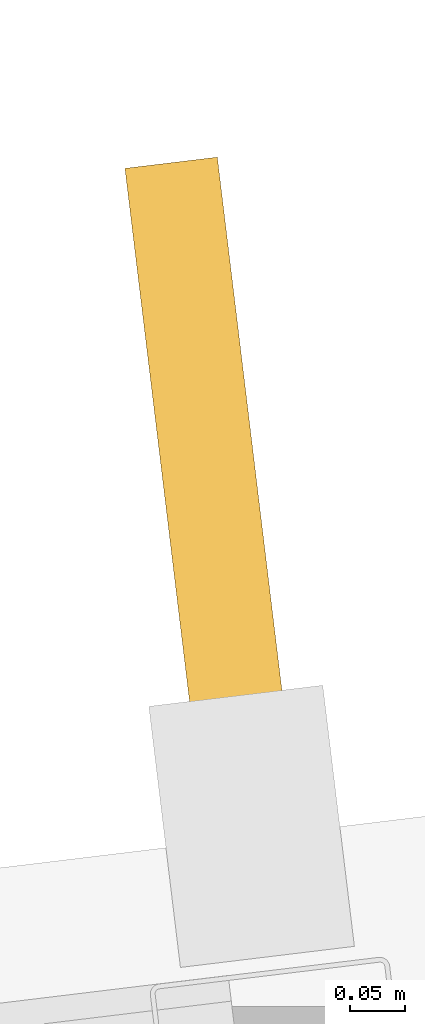
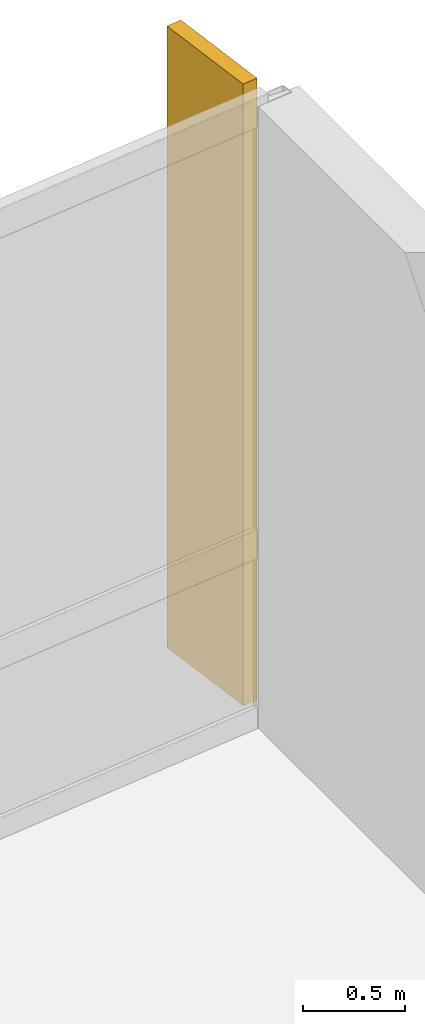
# One storey, part 17 of 17: 1 shading device.
"""IFC4 building model written with IfcOpenShell, lengths in metres."""

from ifc_helpers import new_model, si_unit, direction, frame, origin, origin_2d, place, context, subcontext, project, spatial, rectangle, extrude, material, layer, layer_set, type_object, element, save


model = new_model("IFC4")

# Units and contexts
model_context = context("Model", 3, precision=1e-05, world=origin(), true_north=direction((0.0, 1.0)))
body_context = subcontext(model_context, "Body", "Model", "MODEL_VIEW")
ifc_project = project(units=[si_unit("LENGTHUNIT", "METRE"), si_unit("AREAUNIT", "SQUARE_METRE"), si_unit("VOLUMEUNIT", "CUBIC_METRE"), si_unit("PLANEANGLEUNIT", "RADIAN"), si_unit("MASSUNIT", "GRAM", prefix="KILO")], contexts=[model_context])

# Site, building, storey
site_placement = place(None, origin())
site = spatial("IfcSite", under=ifc_project, at=site_placement, CompositionType="ELEMENT")
building_placement = place(site_placement, origin())
building = spatial("IfcBuilding", under=site, at=building_placement, Name="Varnakote Quay Hospital", CompositionType="ELEMENT")
storey_placement = place(building_placement, frame((0.0, 0.0, 134.949951171875)))
storey = spatial("IfcBuildingStorey", under=building, at=storey_placement, Name="L33", CompositionType="ELEMENT", Elevation=134.949951171875)

# Shading device
ifc_material = material(Name="Anodised aluminium 6063-T6 Bronze", Category="aluminium")
ifc_layer = layer(ifc_material, 0.0849609375)
ifc_layer_set = layer_set([ifc_layer], Name="Anodised aluminium 6063-T6 Bronze")
shading_device_type = type_object("IfcShadingDeviceType", Name="SHD-BRONZE-FIN-620", PredefinedType="USERDEFINED", material=ifc_layer_set)
shading_device_placement = place(storey_placement, frame((53.9462890625, 33.381591796875, 0.0), z_axis=(0.0, 0.0, 1.0), x_axis=(0.120310105847, -0.992736358975, 0.0)))
element("IfcShadingDevice", 1, at=shading_device_placement, inside=storey, type_object=shading_device_type, Name="L33 Anodised Bronze Vertical Shading FIN", ObjectType="FIN", PredefinedType="USERDEFINED", context=body_context, shape_type="SweptSolid", body=[
    extrude(rectangle(XDim=0.6201171875, YDim=0.0849609375, at=origin_2d()), origin(), (0.0, 0.0, 1.0), 3.7099609375),
])

save(model, "model.ifc")
